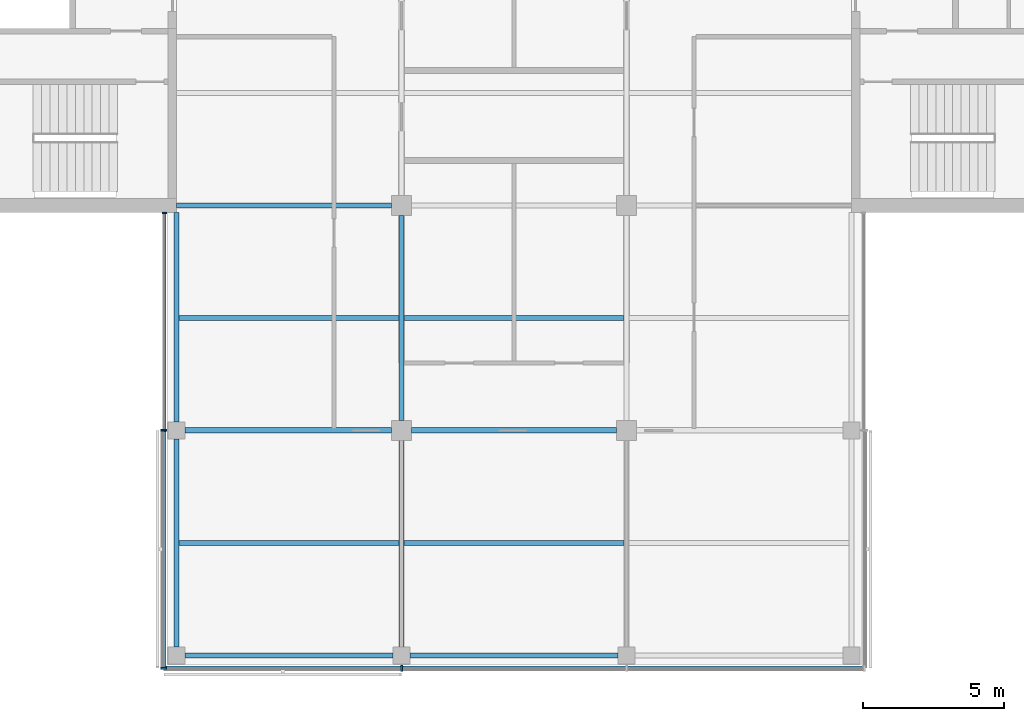
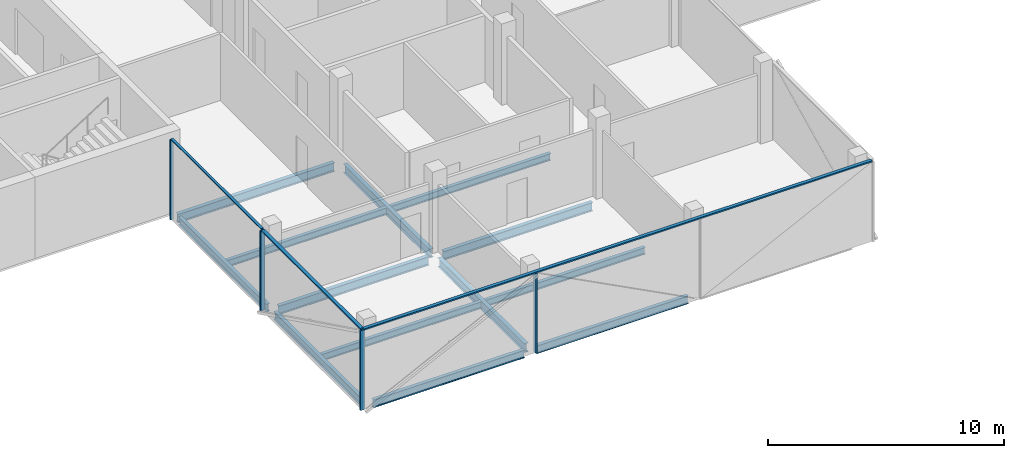
# One storey, part 2 of 16: 13 beams, 8 members, 3 elements without a shape of their own.
"""IFC4 building model written with IfcOpenShell, lengths in metres."""

from ifc_helpers import new_model, si_unit, direction, frame, origin, origin_2d, place, context, subcontext, project, spatial, rectangle, i_section, extrude, material, material_profile, profile_set, type_object, element, aggregate, save


model = new_model("IFC4")

# Units and contexts
model_context = context("Model", 3, precision=1e-05, world=origin(), true_north=direction((0.0, 1.0)))
body_context = subcontext(model_context, "Body", "Model", "MODEL_VIEW")
ifc_project = project(units=[si_unit("LENGTHUNIT", "METRE"), si_unit("AREAUNIT", "SQUARE_METRE"), si_unit("VOLUMEUNIT", "CUBIC_METRE"), si_unit("PLANEANGLEUNIT", "RADIAN"), si_unit("MASSUNIT", "GRAM", prefix="KILO")], contexts=[model_context])

# Site, building, storey
site_placement = place(None, origin())
site = spatial("IfcSite", under=ifc_project, at=site_placement, CompositionType="ELEMENT")
building_placement = place(site_placement, origin())
building = spatial("IfcBuilding", under=site, at=building_placement, Name="Crosswind Convention Tower", CompositionType="ELEMENT")
storey_placement = place(building_placement, frame((0.0, 0.0, 253.5)))
storey = spatial("IfcBuildingStorey", under=building, at=storey_placement, Name="L54", CompositionType="ELEMENT", Elevation=253.5)

# Beams
ifc_material_1 = material(Name="Steel S355", Category="steel")
ifc_material_profile_1 = material_profile(ifc_material_1, i_section(OverallWidth=0.177734375, OverallDepth=0.406494140625, WebThickness=0.0078125, FlangeThickness=0.0126953125, FilletRadius=0.01025390625, at=origin_2d()), Name="UB 406x178x60")
ifc_profile_set_1 = profile_set([ifc_material_profile_1], Name="Steel S355")
beam_type_1 = type_object("IfcBeamType", Name="Edge beam UB 406x178x60", PredefinedType="SPANDREL", material=ifc_profile_set_1)
beam_1_placement = place(storey_placement, frame((113.0, 72.300048828125, -0.503173828125), z_axis=(0.0, 1.0, 0.0), x_axis=(-1.0, 0.0, 0.0)))
element("IfcBeam", 1, at=beam_1_placement, inside=storey, type_object=beam_type_1, Name="B15 L54 edge beam 1", PredefinedType="SPANDREL", context=body_context, shape_type="SweptSolid", body=[
    extrude(i_section(OverallWidth=0.177734375, OverallDepth=0.406494140625, WebThickness=0.0078125, FlangeThickness=0.0126953125, FilletRadius=0.01025390625, at=origin_2d()), origin(), (0.0, 0.0, 1.0), 7.39990234375),
])
beam_2_placement = place(storey_placement, frame((113.0, 80.300048828125, -0.503173828125), z_axis=(0.0, 1.0, 0.0), x_axis=(-1.0, 0.0, 0.0)))
element("IfcBeam", 2, at=beam_2_placement, inside=storey, type_object=beam_type_1, Name="B15 L54 edge beam 2", PredefinedType="SPANDREL", context=body_context, shape_type="SweptSolid", body=[
    extrude(i_section(OverallWidth=0.177734375, OverallDepth=0.406494140625, WebThickness=0.0078125, FlangeThickness=0.0126953125, FilletRadius=0.01025390625, at=origin_2d()), origin(), (0.0, 0.0, 1.0), 7.449951171875),
])
for number, where, z_axis, x_axis, name in (
    (3, (113.300048828125, 72.0, -0.503173828125), (1.0, 0.0, 0.0), (0.0, 1.0, 0.0), "B15 L54 edge beam 5"),
    (4, (121.300048828125, 72.0, -0.503173828125), (1.0, 0.0, 0.0), (0.0, 1.0, 0.0), "B15 L54 edge beam 7"),
):
    element("IfcBeam", number, at=place(storey_placement, frame(where, z_axis=z_axis, x_axis=x_axis)), inside=storey, type_object=beam_type_1, Name=name, PredefinedType="SPANDREL", context=body_context, shape_type="SweptSolid", body=[
        extrude(i_section(OverallWidth=0.177734375, OverallDepth=0.406494140625, WebThickness=0.0078125, FlangeThickness=0.0126953125, FilletRadius=0.01025390625, at=origin_2d()), origin(), (0.0, 0.0, 1.0), 7.39990234375),
    ])
ifc_material_profile_2 = material_profile(ifc_material_1, i_section(OverallWidth=0.18994140625, OverallDepth=0.45361328125, WebThickness=0.008544921875, FlangeThickness=0.0126953125, FilletRadius=0.01025390625, at=origin_2d()), Name="UB 457x191x67")
ifc_profile_set_2 = profile_set([ifc_material_profile_2], Name="Steel S355")
beam_type_2 = type_object("IfcBeamType", Name="Girder UB 457x191x67", PredefinedType="BEAM", material=ifc_profile_set_2)
for number, where, z_axis, x_axis, name in (
    (5, (113.300048828125, 80.0, -0.52685546875), (1.0, 0.0, 0.0), (0.0, 1.0, 0.0), "B1 L54 girder 1"),
    (6, (121.0, 72.300048828125, -0.52685546875), (0.0, 1.0, 0.0), (-1.0, 0.0, 0.0), "B1 L54 girder 3"),
):
    element("IfcBeam", number, at=place(storey_placement, frame(where, z_axis=z_axis, x_axis=x_axis)), inside=storey, type_object=beam_type_2, Name=name, PredefinedType="BEAM", context=body_context, shape_type="SweptSolid", body=[
        extrude(i_section(OverallWidth=0.18994140625, OverallDepth=0.45361328125, WebThickness=0.008544921875, FlangeThickness=0.0126953125, FilletRadius=0.01025390625, at=origin_2d()), origin(), (0.0, 0.0, 1.0), 7.349853515625),
    ])
for number, where, z_axis, x_axis, name in (
    (7, (121.0, 80.35009765625, -0.52685546875), (0.0, 1.0, 0.0), (-1.0, 0.0, 0.0), "B1 L54 girder 4"),
    (8, (121.35009765625, 80.0, -0.52685546875), (1.0, 0.0, 0.0), (0.0, 1.0, 0.0), "B1 L54 girder 10"),
):
    element("IfcBeam", number, at=place(storey_placement, frame(where, z_axis=z_axis, x_axis=x_axis)), inside=storey, type_object=beam_type_2, Name=name, PredefinedType="BEAM", context=body_context, shape_type="SweptSolid", body=[
        extrude(i_section(OverallWidth=0.18994140625, OverallDepth=0.45361328125, WebThickness=0.008544921875, FlangeThickness=0.0126953125, FilletRadius=0.01025390625, at=origin_2d()), origin(), (0.0, 0.0, 1.0), 7.2998046875),
    ])
ifc_material_profile_3 = material_profile(ifc_material_1, i_section(OverallWidth=0.1904296875, OverallDepth=0.457275390625, WebThickness=0.009033203125, FlangeThickness=0.014404296875, FilletRadius=0.01025390625, at=origin_2d()), Name="UB 457x191x75")
ifc_profile_set_3 = profile_set([ifc_material_profile_3], Name="Steel S355")
beam_type_3 = type_object("IfcBeamType", Name="Girder at core wall UB 457x191x75", PredefinedType="BEAM", material=ifc_profile_set_3)
beam_3_placement = place(storey_placement, frame((113.0, 88.0, -0.528564453125), z_axis=(1.0, 0.0, 0.0), x_axis=(0.0, 1.0, 0.0)))
element("IfcBeam", 9, at=beam_3_placement, inside=storey, type_object=beam_type_3, Name="B22 L54 girder at core wall 1", PredefinedType="BEAM", context=body_context, shape_type="SweptSolid", body=[
    extrude(i_section(OverallWidth=0.1904296875, OverallDepth=0.457275390625, WebThickness=0.009033203125, FlangeThickness=0.014404296875, FilletRadius=0.01025390625, at=origin_2d()), origin(), (0.0, 0.0, 1.0), 7.64990234375),
])

# Curtain wall, members
ifc_material_2 = material(Name="Aluminium unitised curtain wall", Category="aluminium")
curtain_wall_type_1 = type_object("IfcCurtainWallType", Name="CORE END SLOT WALL 160", PredefinedType="USERDEFINED", material=ifc_material_2)
curtain_wall_1_placement = place(storey_placement, origin())
curtain_wall_1 = element("IfcCurtainWall", 10, at=curtain_wall_1_placement, inside=storey, type_object=curtain_wall_type_1, Name="CW6 L54 S-W.1-1 slot", ObjectType="UNITISED", PredefinedType="USERDEFINED")
ifc_material_3 = material(Name="Aluminium mullion", Category="aluminium")
ifc_material_profile_4 = material_profile(ifc_material_3, rectangle(XDim=0.159912109375, YDim=0.050048828125, at=origin_2d()), Name="AL 160X50")
ifc_profile_set_4 = profile_set([ifc_material_profile_4], Name="Aluminium mullion")
member_type_1 = type_object("IfcMemberType", Name="MULLION 50X160", PredefinedType="MULLION", material=ifc_profile_set_4)
member_1_placement = place(storey_placement, frame((112.570068359375, 87.72509765625, -0.300048828125), z_axis=(0.0, 0.0, 1.0), x_axis=(-1.0, 0.0, 0.0)))
member_1 = element("IfcMember", 11, at=member_1_placement, type_object=member_type_1, Name="CW6 mullion 1", PredefinedType="MULLION", context=body_context, shape_type="SweptSolid", body=[
    extrude(rectangle(XDim=0.159912109375, YDim=0.050048828125, at=origin_2d()), origin(), (0.0, 0.0, 1.0), 4.150146484375),
])
member_2_placement = place(storey_placement, frame((112.570068359375, 80.02490234375, -0.300048828125), z_axis=(0.0, 0.0, 1.0), x_axis=(-1.0, 0.0, 0.0)))
member_2 = element("IfcMember", 12, at=member_2_placement, type_object=member_type_1, Name="CW6 mullion 2", PredefinedType="MULLION", context=body_context, shape_type="SweptSolid", body=[
    extrude(rectangle(XDim=0.159912109375, YDim=0.050048828125, at=origin_2d()), origin(), (0.0, 0.0, 1.0), 4.150146484375),
])

curtain_wall_type_2 = type_object("IfcCurtainWallType", Name="OFFICE UNITISED WALL 220", PredefinedType="USERDEFINED", material=ifc_material_2)
curtain_wall_2_placement = place(storey_placement, origin())
curtain_wall_2 = element("IfcCurtainWall", 13, at=curtain_wall_2_placement, inside=storey, type_object=curtain_wall_type_2, Name="CW3 L54 S-W 1", ObjectType="UNITISED", PredefinedType="USERDEFINED")
ifc_material_profile_5 = material_profile(ifc_material_3, rectangle(XDim=0.219970703125, YDim=0.070068359375, at=origin_2d()), Name="AL 220X70")
ifc_profile_set_5 = profile_set([ifc_material_profile_5], Name="Aluminium mullion")
member_type_2 = type_object("IfcMemberType", Name="MULLION 70X220", PredefinedType="MULLION", material=ifc_profile_set_5)
member_3_placement = place(storey_placement, frame((112.5400390625, 80.0, -0.300048828125), z_axis=(0.0, 0.0, 1.0), x_axis=(-1.0, 0.0, 0.0)))
member_3 = element("IfcMember", 14, at=member_3_placement, type_object=member_type_2, Name="CW3 mullion 1", PredefinedType="MULLION", context=body_context, shape_type="SweptSolid", body=[
    extrude(rectangle(XDim=0.219970703125, YDim=0.070068359375, at=origin_2d()), origin(), (0.0, 0.0, 1.0), 4.130126953125),
])
member_4_placement = place(storey_placement, frame((112.5400390625, 71.5400390625, -0.300048828125), z_axis=(0.0, 0.0, 1.0), x_axis=(-1.0, 0.0, 0.0)))
member_4 = element("IfcMember", 15, at=member_4_placement, type_object=member_type_2, Name="CW3 mullion 2", PredefinedType="MULLION", context=body_context, shape_type="SweptSolid", body=[
    extrude(rectangle(XDim=0.219970703125, YDim=0.070068359375, at=origin_2d()), origin(), (0.0, 0.0, 1.0), 4.130126953125),
])

# Curtain wall, member
curtain_wall_3_placement = place(storey_placement, origin())
curtain_wall_3 = element("IfcCurtainWall", 16, at=curtain_wall_3_placement, inside=storey, type_object=curtain_wall_type_2, Name="CW3 L54 S-TIP 1", ObjectType="UNITISED", PredefinedType="USERDEFINED")
member_5_placement = place(storey_placement, frame((121.0, 71.5400390625, -0.300048828125), z_axis=(0.0, 0.0, 1.0), x_axis=(0.0, -1.0, 0.0)))
member_5 = element("IfcMember", 17, at=member_5_placement, type_object=member_type_2, Name="CW3 mullion 2", PredefinedType="MULLION", context=body_context, shape_type="SweptSolid", body=[
    extrude(rectangle(XDim=0.219970703125, YDim=0.070068359375, at=origin_2d()), origin(), (0.0, 0.0, 1.0), 4.130126953125),
])

# Beams
ifc_material_profile_6 = material_profile(ifc_material_1, i_section(OverallWidth=0.17138671875, OverallDepth=0.355712890625, WebThickness=0.00732421875, FlangeThickness=0.011474609375, FilletRadius=0.01025390625, at=origin_2d()), Name="UB 356x171x51")
ifc_profile_set_6 = profile_set([ifc_material_profile_6], Name="Steel S355")
beam_type_4 = type_object("IfcBeamType", Name="Secondary beam UB 356x171x51", PredefinedType="JOIST", material=ifc_profile_set_6)
for number, where, z_axis, x_axis, name in (
    (18, (113.0888671875, 76.0, -0.477783203125), (1.0, 0.0, 0.0), (0.0, 1.0, 0.0), "B8 L54 secondary beam 4"),
    (19, (113.0888671875, 84.0, -0.477783203125), (1.0, 0.0, 0.0), (0.0, 1.0, 0.0), "B8 L54 secondary beam 5"),
):
    element("IfcBeam", number, at=place(storey_placement, frame(where, z_axis=z_axis, x_axis=x_axis)), inside=storey, type_object=beam_type_4, Name=name, PredefinedType="JOIST", context=body_context, shape_type="SweptSolid", body=[
        extrude(i_section(OverallWidth=0.17138671875, OverallDepth=0.355712890625, WebThickness=0.00732421875, FlangeThickness=0.011474609375, FilletRadius=0.01025390625, at=origin_2d()), origin(), (0.0, 0.0, 1.0), 7.816162109375),
    ])
for number, where, z_axis, x_axis, name in (
    (20, (121.094970703125, 76.0, -0.477783203125), (1.0, 0.0, 0.0), (0.0, 1.0, 0.0), "B8 L54 secondary beam 8"),
    (21, (121.094970703125, 84.0, -0.477783203125), (1.0, 0.0, 0.0), (0.0, 1.0, 0.0), "B8 L54 secondary beam 9"),
):
    element("IfcBeam", number, at=place(storey_placement, frame(where, z_axis=z_axis, x_axis=x_axis)), inside=storey, type_object=beam_type_4, Name=name, PredefinedType="JOIST", context=body_context, shape_type="SweptSolid", body=[
        extrude(i_section(OverallWidth=0.17138671875, OverallDepth=0.355712890625, WebThickness=0.00732421875, FlangeThickness=0.011474609375, FilletRadius=0.01025390625, at=origin_2d()), origin(), (0.0, 0.0, 1.0), 7.81005859375),
    ])

# Member
ifc_material_4 = material(Name="Aluminium transom", Category="aluminium")
ifc_material_profile_7 = material_profile(ifc_material_4, rectangle(XDim=0.1201171875, YDim=0.050048828125, at=origin_2d()), Name="AL 120X50")
ifc_profile_set_7 = profile_set([ifc_material_profile_7], Name="Aluminium transom")
member_type_3 = type_object("IfcMemberType", Name="TRANSOM 50X120", PredefinedType="USERDEFINED", material=ifc_profile_set_7)
member_6_placement = place(storey_placement, frame((112.570068359375, 87.699951171875, 3.875), z_axis=(0.0, -1.0, 0.0), x_axis=(1.0, 0.0, 0.0)))
member_6 = element("IfcMember", 22, at=member_6_placement, type_object=member_type_3, Name="CW6 transom", ObjectType="TRANSOM", PredefinedType="USERDEFINED", context=body_context, shape_type="SweptSolid", body=[
    extrude(rectangle(XDim=0.1201171875, YDim=0.050048828125, at=origin_2d()), origin(), (0.0, 0.0, 1.0), 7.64990234375),
])

aggregate(curtain_wall_1, [member_1, member_2, member_6])

ifc_material_profile_8 = material_profile(ifc_material_4, rectangle(XDim=0.159912109375, YDim=0.070068359375, at=origin_2d()), Name="AL 160X70")
ifc_profile_set_8 = profile_set([ifc_material_profile_8], Name="Aluminium transom")
member_type_4 = type_object("IfcMemberType", Name="TRANSOM 70X160", PredefinedType="USERDEFINED", material=ifc_profile_set_8)
member_7_placement = place(storey_placement, frame((112.5400390625, 79.965087890625, 3.864990234375), z_axis=(0.0, -1.0, 0.0), x_axis=(1.0, 0.0, 0.0)))
member_7 = element("IfcMember", 23, at=member_7_placement, type_object=member_type_4, Name="CW3 transom", ObjectType="TRANSOM", PredefinedType="USERDEFINED", context=body_context, shape_type="SweptSolid", body=[
    extrude(rectangle(XDim=0.159912109375, YDim=0.070068359375, at=origin_2d()), origin(), (0.0, 0.0, 1.0), 8.39013671875),
])

aggregate(curtain_wall_2, [member_3, member_4, member_7])

member_8_placement = place(storey_placement, frame((112.574951171875, 71.5400390625, 3.864990234375), z_axis=(1.0, 0.0, 0.0), x_axis=(0.0, 1.0, 0.0)))
member_8 = element("IfcMember", 24, at=member_8_placement, type_object=member_type_4, Name="CW3 transom", ObjectType="TRANSOM", PredefinedType="USERDEFINED", context=body_context, shape_type="SweptSolid", body=[
    extrude(rectangle(XDim=0.159912109375, YDim=0.070068359375, at=origin_2d()), origin(), (0.0, 0.0, 1.0), 24.85009765625),
])

aggregate(curtain_wall_3, [member_5, member_8])

save(model, "model.ifc")
